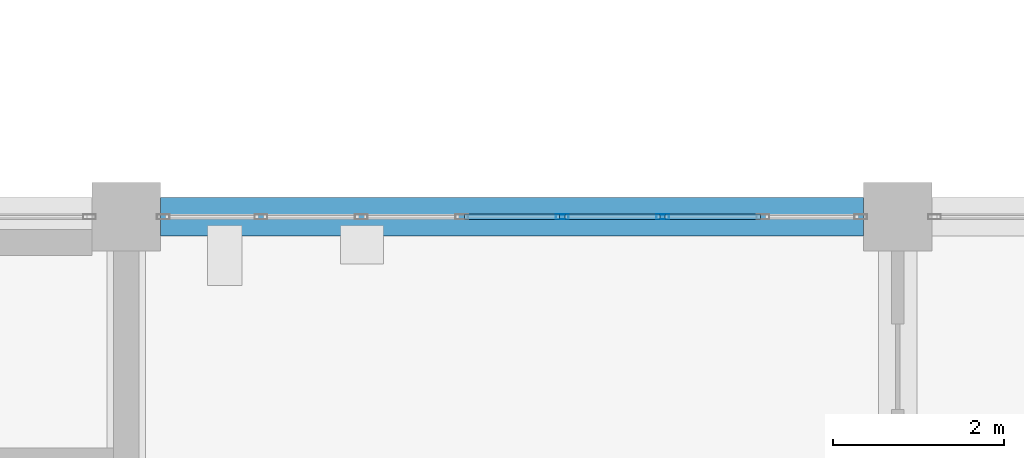
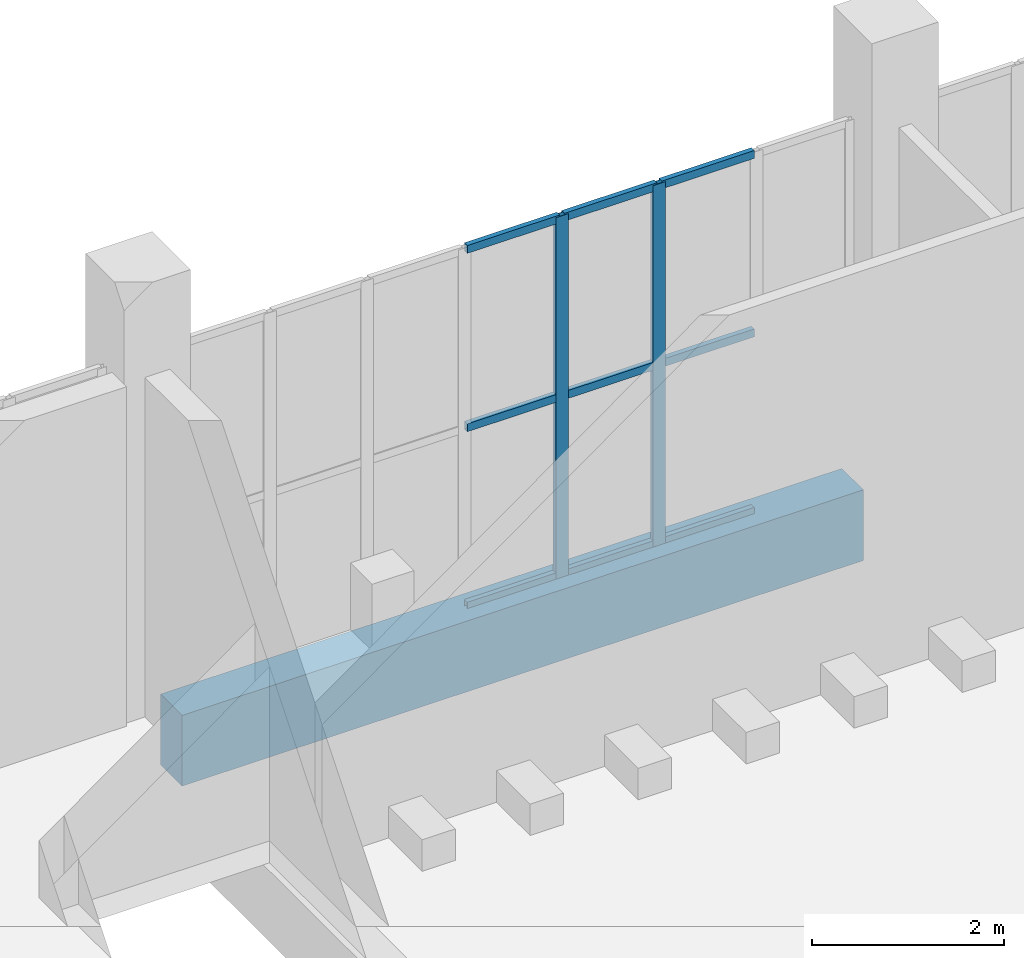
# One storey, part 31 of 185: 11 members, 1 beam, 1 element without a shape of its own.
"""IFC4 building model written with IfcOpenShell, lengths in metres."""

from ifc_helpers import new_model, si_unit, direction, frame, origin, origin_2d, place, context, subcontext, project, spatial, rectangle, hollow_rectangle, extrude, material, layer, layer_set, material_profile, profile_set, type_object, element, aggregate, save


model = new_model("IFC4")

# Units and contexts
model_context = context("Model", 3, precision=1e-05, world=origin(), true_north=direction((0.0, 1.0)))
body_context = subcontext(model_context, "Body", "Model", "MODEL_VIEW")
ifc_project = project(units=[si_unit("LENGTHUNIT", "METRE"), si_unit("AREAUNIT", "SQUARE_METRE"), si_unit("VOLUMEUNIT", "CUBIC_METRE"), si_unit("PLANEANGLEUNIT", "RADIAN"), si_unit("MASSUNIT", "GRAM", prefix="KILO")], contexts=[model_context])

# Site, building, storey
site_placement = place(None, origin())
site = spatial("IfcSite", under=ifc_project, at=site_placement, CompositionType="ELEMENT")
building_placement = place(site_placement, origin())
building = spatial("IfcBuilding", under=site, at=building_placement, Name="Opaline Strait Convention Centre", CompositionType="ELEMENT")
storey_placement = place(building_placement, frame((0.0, 0.0, 6.0)))
storey = spatial("IfcBuildingStorey", under=building, at=storey_placement, Name="L01", CompositionType="ELEMENT", Elevation=6.0)

# Curtain wall, members
ifc_material_1 = material(Name="Aluminium framed double glazing", Category="aluminium")
ifc_layer = layer(ifc_material_1, 0.199951171875)
ifc_layer_set = layer_set([ifc_layer], Name="Aluminium framed double glazing")
curtain_wall_type = type_object("IfcCurtainWallType", Name="Curtain wall 1250", PredefinedType="NOTDEFINED", material=ifc_layer_set)
curtain_wall_placement = place(storey_placement, origin())
curtain_wall = element("IfcCurtainWall", 1, at=curtain_wall_placement, inside=storey, type_object=curtain_wall_type, Name="Curtain wall N-18-L01", PredefinedType="NOTDEFINED")
ifc_material_2 = material(Name="Aluminium alloy 6063", Category="aluminium")
ifc_material_profile_1 = material_profile(ifc_material_2, hollow_rectangle(XDim=0.06005859375, YDim=0.14990234375, WallThickness=0.00390625, at=origin_2d()), Name="MULLION 60x150x4")
ifc_profile_set_1 = profile_set([ifc_material_profile_1], Name="Aluminium alloy 6063")
member_type_1 = type_object("IfcMemberType", Name="Curtain wall mullion 60 x 150", PredefinedType="MULLION", material=ifc_profile_set_1)
member_1_placement = place(storey_placement, frame((23.085693359375, 180.0, -0.280029296875), z_axis=(0.0, 0.0, 1.0), x_axis=(0.0, 1.0, 0.0)))
member_1 = element("IfcMember", 2, at=member_1_placement, type_object=member_type_1, Name="PCW mullion 5", PredefinedType="MULLION", context=body_context, shape_type="SweptSolid", body=[
    extrude(hollow_rectangle(XDim=0.06005859375, YDim=0.14990234375, WallThickness=0.00390625, at=origin_2d()), origin(), (0.0, 0.0, 1.0), 4.60009765625),
])
member_2_placement = place(storey_placement, frame((24.257080078125, 180.0, -0.280029296875), z_axis=(0.0, 0.0, 1.0), x_axis=(0.0, 1.0, 0.0)))
member_2 = element("IfcMember", 3, at=member_2_placement, type_object=member_type_1, Name="PCW mullion 6", PredefinedType="MULLION", context=body_context, shape_type="SweptSolid", body=[
    extrude(hollow_rectangle(XDim=0.06005859375, YDim=0.14990234375, WallThickness=0.00390625, at=origin_2d()), origin(), (0.0, 0.0, 1.0), 4.60009765625),
])
ifc_material_profile_2 = material_profile(ifc_material_2, hollow_rectangle(XDim=0.06005859375, YDim=0.10009765625, WallThickness=0.0029296875, at=origin_2d()), Name="TRANSOM 60x100x3")
ifc_profile_set_2 = profile_set([ifc_material_profile_2], Name="Aluminium alloy 6063")
member_type_2 = type_object("IfcMemberType", Name="Curtain wall transom 60 x 100", PredefinedType="USERDEFINED", material=ifc_profile_set_2)
member_3_placement = place(storey_placement, frame((21.9443359375, 180.0, -0.25), z_axis=(1.0, 0.0, 0.0), x_axis=(0.0, 1.0, 0.0)))
member_3 = element("IfcMember", 4, at=member_3_placement, type_object=member_type_2, Name="PCW transom 4.1", ObjectType="TRANSOM", PredefinedType="USERDEFINED", context=body_context, shape_type="SweptSolid", body=[
    extrude(hollow_rectangle(XDim=0.06005859375, YDim=0.10009765625, WallThickness=0.0029296875, at=origin_2d()), origin(), (0.0, 0.0, 1.0), 1.111328125),
])
member_4_placement = place(storey_placement, frame((21.9443359375, 180.0, 2.02001953125), z_axis=(1.0, 0.0, 0.0), x_axis=(0.0, 1.0, 0.0)))
member_4 = element("IfcMember", 5, at=member_4_placement, type_object=member_type_2, Name="PCW transom 4.2", ObjectType="TRANSOM", PredefinedType="USERDEFINED", context=body_context, shape_type="SweptSolid", body=[
    extrude(hollow_rectangle(XDim=0.06005859375, YDim=0.10009765625, WallThickness=0.0029296875, at=origin_2d()), origin(), (0.0, 0.0, 1.0), 1.111328125),
])
member_5_placement = place(storey_placement, frame((21.9443359375, 180.0, 4.2900390625), z_axis=(1.0, 0.0, 0.0), x_axis=(0.0, 1.0, 0.0)))
member_5 = element("IfcMember", 6, at=member_5_placement, type_object=member_type_2, Name="PCW transom 4.3", ObjectType="TRANSOM", PredefinedType="USERDEFINED", context=body_context, shape_type="SweptSolid", body=[
    extrude(hollow_rectangle(XDim=0.06005859375, YDim=0.10009765625, WallThickness=0.0029296875, at=origin_2d()), origin(), (0.0, 0.0, 1.0), 1.111328125),
])
member_6_placement = place(storey_placement, frame((23.11572265625, 180.0, -0.25), z_axis=(1.0, 0.0, 0.0), x_axis=(0.0, 1.0, 0.0)))
member_6 = element("IfcMember", 7, at=member_6_placement, type_object=member_type_2, Name="PCW transom 5.1", ObjectType="TRANSOM", PredefinedType="USERDEFINED", context=body_context, shape_type="SweptSolid", body=[
    extrude(hollow_rectangle(XDim=0.06005859375, YDim=0.10009765625, WallThickness=0.0029296875, at=origin_2d()), origin(), (0.0, 0.0, 1.0), 1.111572265625),
])
member_7_placement = place(storey_placement, frame((23.11572265625, 180.0, 2.02001953125), z_axis=(1.0, 0.0, 0.0), x_axis=(0.0, 1.0, 0.0)))
member_7 = element("IfcMember", 8, at=member_7_placement, type_object=member_type_2, Name="PCW transom 5.2", ObjectType="TRANSOM", PredefinedType="USERDEFINED", context=body_context, shape_type="SweptSolid", body=[
    extrude(hollow_rectangle(XDim=0.06005859375, YDim=0.10009765625, WallThickness=0.0029296875, at=origin_2d()), origin(), (0.0, 0.0, 1.0), 1.111572265625),
])
member_8_placement = place(storey_placement, frame((23.11572265625, 180.0, 4.2900390625), z_axis=(1.0, 0.0, 0.0), x_axis=(0.0, 1.0, 0.0)))
member_8 = element("IfcMember", 9, at=member_8_placement, type_object=member_type_2, Name="PCW transom 5.3", ObjectType="TRANSOM", PredefinedType="USERDEFINED", context=body_context, shape_type="SweptSolid", body=[
    extrude(hollow_rectangle(XDim=0.06005859375, YDim=0.10009765625, WallThickness=0.0029296875, at=origin_2d()), origin(), (0.0, 0.0, 1.0), 1.111572265625),
])
member_9_placement = place(storey_placement, frame((24.287109375, 180.0, -0.25), z_axis=(1.0, 0.0, 0.0), x_axis=(0.0, 1.0, 0.0)))
member_9 = element("IfcMember", 10, at=member_9_placement, type_object=member_type_2, Name="PCW transom 6.1", ObjectType="TRANSOM", PredefinedType="USERDEFINED", context=body_context, shape_type="SweptSolid", body=[
    extrude(hollow_rectangle(XDim=0.06005859375, YDim=0.10009765625, WallThickness=0.0029296875, at=origin_2d()), origin(), (0.0, 0.0, 1.0), 1.111572265625),
])
member_10_placement = place(storey_placement, frame((24.287109375, 180.0, 2.02001953125), z_axis=(1.0, 0.0, 0.0), x_axis=(0.0, 1.0, 0.0)))
member_10 = element("IfcMember", 11, at=member_10_placement, type_object=member_type_2, Name="PCW transom 6.2", ObjectType="TRANSOM", PredefinedType="USERDEFINED", context=body_context, shape_type="SweptSolid", body=[
    extrude(hollow_rectangle(XDim=0.06005859375, YDim=0.10009765625, WallThickness=0.0029296875, at=origin_2d()), origin(), (0.0, 0.0, 1.0), 1.111572265625),
])
member_11_placement = place(storey_placement, frame((24.287109375, 180.0, 4.2900390625), z_axis=(1.0, 0.0, 0.0), x_axis=(0.0, 1.0, 0.0)))
member_11 = element("IfcMember", 12, at=member_11_placement, type_object=member_type_2, Name="PCW transom 6.3", ObjectType="TRANSOM", PredefinedType="USERDEFINED", context=body_context, shape_type="SweptSolid", body=[
    extrude(hollow_rectangle(XDim=0.06005859375, YDim=0.10009765625, WallThickness=0.0029296875, at=origin_2d()), origin(), (0.0, 0.0, 1.0), 1.111572265625),
])
aggregate(curtain_wall, [member_1, member_2, member_3, member_4, member_5, member_6, member_7, member_8, member_9, member_10, member_11])

# Beam
ifc_material_3 = material(Name="Concrete C35", Category="concrete")
ifc_material_profile_3 = material_profile(ifc_material_3, rectangle(XDim=0.449951171875, YDim=0.89990234375, at=origin_2d()), Name="RC 450x900")
ifc_profile_set_3 = profile_set([ifc_material_profile_3], Name="Concrete C35")
beam_type = type_object("IfcBeamType", Name="RC floor beam 450x900 C35", PredefinedType="BEAM", material=ifc_profile_set_3)
beam_placement = place(storey_placement, frame((18.39990234375, 180.0, -0.72998046875), z_axis=(1.0, 0.0, 0.0), x_axis=(0.0, 1.0, 0.0)))
element("IfcBeam", 13, at=beam_placement, inside=storey, type_object=beam_type, Name="PFB1 L01 beam 3/W-4/W", PredefinedType="BEAM", context=body_context, shape_type="SweptSolid", body=[
    extrude(rectangle(XDim=0.449951171875, YDim=0.89990234375, at=origin_2d()), origin(), (0.0, 0.0, 1.0), 8.2001953125),
])

save(model, "model.ifc")
